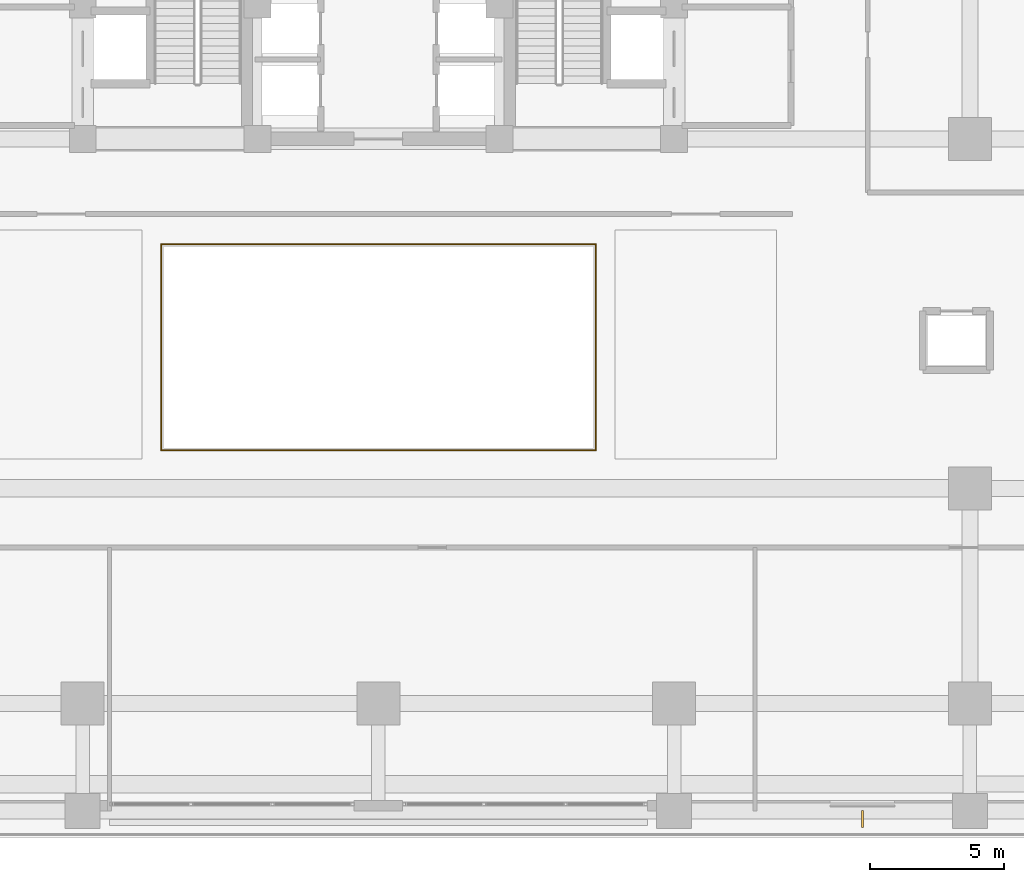
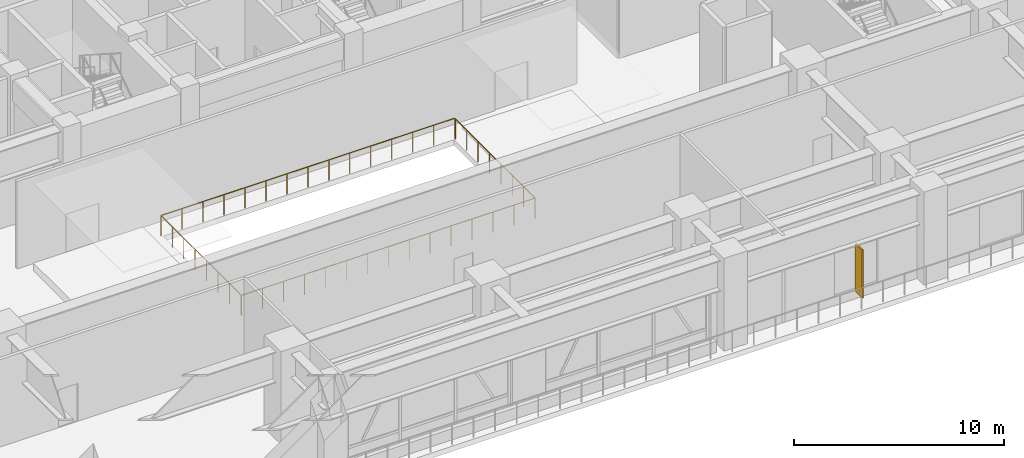
# One storey, part 23 of 28: 2 railings, 1 shading device.
"""IFC4 building model written with IfcOpenShell, lengths in metres."""

from ifc_helpers import new_model, si_unit, direction, frame, origin, origin_2d, place, context, subcontext, project, spatial, rectangle, circle, extrude, source, transform, mapped, material, layer, layer_set, type_object, element, save


model = new_model("IFC4")

# Units and contexts
model_context = context("Model", 3, precision=1e-05, world=origin(), true_north=direction((0.0, 1.0)))
body_context = subcontext(model_context, "Body", "Model", "MODEL_VIEW")
ifc_project = project(units=[si_unit("LENGTHUNIT", "METRE"), si_unit("AREAUNIT", "SQUARE_METRE"), si_unit("VOLUMEUNIT", "CUBIC_METRE"), si_unit("PLANEANGLEUNIT", "RADIAN"), si_unit("MASSUNIT", "GRAM", prefix="KILO")], contexts=[model_context])

# Site, building, storey
site_placement = place(None, origin())
site = spatial("IfcSite", under=ifc_project, at=site_placement, CompositionType="ELEMENT")
building_placement = place(site_placement, origin())
building = spatial("IfcBuilding", under=site, at=building_placement, Name="Khorayat Bourse Tower", CompositionType="ELEMENT")
storey_placement = place(building_placement, frame((0.0, 0.0, 12.0)))
storey = spatial("IfcBuildingStorey", under=building, at=storey_placement, Name="L02", CompositionType="ELEMENT", Elevation=12.0)

# Shading device
ifc_material_1 = material(Name="Anodised champagne aluminium", Category="aluminium")
ifc_layer = layer(ifc_material_1, 0.080078125)
ifc_layer_set = layer_set([ifc_layer], Name="Anodised champagne aluminium")
shading_device_type = type_object("IfcShadingDeviceType", Name="SHD-MASHRABIYA-FIN", PredefinedType="USERDEFINED", material=ifc_layer_set)
shared_shape_1 = source(origin(), body_context, "Body", "SweptSolid", [
    extrude(rectangle(XDim=0.080078125, YDim=0.64990234375, at=origin_2d()), origin(), (0.0, 0.0, 1.0), 2.800048828125),
])
shading_device_placement = place(storey_placement, frame((18.0, -36.300048828125, 0.39990234375), z_axis=(0.0, 0.0, 1.0), x_axis=(1.0, 0.0, 0.0)))
element("IfcShadingDevice", 1, at=shading_device_placement, inside=storey, type_object=shading_device_type, Name="L02 Mashrabiya Vertical Shading Fin 3", ObjectType="FIN", PredefinedType="USERDEFINED", context=body_context, shape_type="MappedRepresentation", body=[
    mapped(shared_shape_1, transform((0.0, 0.0, 0.0), scale=1.0)),
])

# Railings
ifc_material_2 = material(Name="Powder-coated steel balustrade", Category="steel")
railing_type = type_object("IfcRailingType", Name="RLG-GUARD-1200", PredefinedType="GUARDRAIL", material=ifc_material_2)
shared_shape_2 = source(origin(), body_context, "Body", "SweptSolid", [
    extrude(circle(Radius=0.02392578125, at=origin_2d()), frame((0.0, 0.0, 1.17578125), z_axis=(1.0, 0.0, 0.0), x_axis=(0.0, 1.0, 0.0)), (0.0, 0.0, 1.0), 16.16015625),
    extrude(circle(Radius=0.02392578125, at=origin_2d()), frame((16.16015625, 0.0, 1.17578125), z_axis=(0.0, 1.0, 0.0), x_axis=(-1.0, 0.0, 0.0)), (0.0, 0.0, 1.0), 7.60009765625),
    extrude(circle(Radius=0.02099609375, at=origin_2d()), origin(), (0.0, 0.0, 1.0), 1.15185546875),
    extrude(circle(Radius=0.02099609375, at=origin_2d()), frame((1.154296875, 0.0, 0.0)), (0.0, 0.0, 1.0), 1.15185546875),
    extrude(circle(Radius=0.02099609375, at=origin_2d()), frame((2.30859375, 0.0, 0.0)), (0.0, 0.0, 1.0), 1.15185546875),
    extrude(circle(Radius=0.02099609375, at=origin_2d()), frame((3.462890625, 0.0, 0.0)), (0.0, 0.0, 1.0), 1.15185546875),
    extrude(circle(Radius=0.02099609375, at=origin_2d()), frame((4.6171875, 0.0, 0.0)), (0.0, 0.0, 1.0), 1.15185546875),
    extrude(circle(Radius=0.02099609375, at=origin_2d()), frame((5.771484375, 0.0, 0.0)), (0.0, 0.0, 1.0), 1.15185546875),
    extrude(circle(Radius=0.02099609375, at=origin_2d()), frame((6.92578125, 0.0, 0.0)), (0.0, 0.0, 1.0), 1.15185546875),
    extrude(circle(Radius=0.02099609375, at=origin_2d()), frame((8.080078125, 0.0, 0.0)), (0.0, 0.0, 1.0), 1.15185546875),
    extrude(circle(Radius=0.02099609375, at=origin_2d()), frame((9.234375, 0.0, 0.0)), (0.0, 0.0, 1.0), 1.15185546875),
    extrude(circle(Radius=0.02099609375, at=origin_2d()), frame((10.388671875, 0.0, 0.0)), (0.0, 0.0, 1.0), 1.15185546875),
    extrude(circle(Radius=0.02099609375, at=origin_2d()), frame((11.54296875, 0.0, 0.0)), (0.0, 0.0, 1.0), 1.15185546875),
    extrude(circle(Radius=0.02099609375, at=origin_2d()), frame((12.697265625, 0.0, 0.0)), (0.0, 0.0, 1.0), 1.15185546875),
    extrude(circle(Radius=0.02099609375, at=origin_2d()), frame((13.8515625, 0.0, 0.0)), (0.0, 0.0, 1.0), 1.15185546875),
    extrude(circle(Radius=0.02099609375, at=origin_2d()), frame((15.005859375, 0.0, 0.0)), (0.0, 0.0, 1.0), 1.15185546875),
    extrude(circle(Radius=0.02099609375, at=origin_2d()), frame((16.16015625, 0.0, 0.0)), (0.0, 0.0, 1.0), 1.15185546875),
    extrude(circle(Radius=0.02099609375, at=origin_2d()), frame((16.16015625, 1.085693359375, 0.0)), (0.0, 0.0, 1.0), 1.15185546875),
    extrude(circle(Radius=0.02099609375, at=origin_2d()), frame((16.16015625, 2.17138671875, 0.0)), (0.0, 0.0, 1.0), 1.15185546875),
    extrude(circle(Radius=0.02099609375, at=origin_2d()), frame((16.16015625, 3.257080078125, 0.0)), (0.0, 0.0, 1.0), 1.15185546875),
    extrude(circle(Radius=0.02099609375, at=origin_2d()), frame((16.16015625, 4.343017578125, 0.0)), (0.0, 0.0, 1.0), 1.15185546875),
    extrude(circle(Radius=0.02099609375, at=origin_2d()), frame((16.16015625, 5.4287109375, 0.0)), (0.0, 0.0, 1.0), 1.15185546875),
    extrude(circle(Radius=0.02099609375, at=origin_2d()), frame((16.16015625, 6.514404296875, 0.0)), (0.0, 0.0, 1.0), 1.15185546875),
    extrude(circle(Radius=0.02099609375, at=origin_2d()), frame((16.16015625, 7.60009765625, 0.0)), (0.0, 0.0, 1.0), 1.15185546875),
])
railing_1_placement = place(storey_placement, frame((-8.080078125, -22.580078125, 0.0)))
element("IfcRailing", 2, at=railing_1_placement, inside=storey, type_object=railing_type, Name="L02 Exchange Atrium Guardrail SE", PredefinedType="GUARDRAIL", context=body_context, shape_type="MappedRepresentation", body=[
    mapped(shared_shape_2, transform((0.0, 0.0, 0.0), scale=1.0)),
])
shared_shape_3 = source(origin(), body_context, "Body", "SweptSolid", [
    extrude(circle(Radius=0.02392578125, at=origin_2d()), frame((0.0, 0.0, 1.17578125), z_axis=(-1.0, 0.0, 0.0), x_axis=(0.0, -1.0, 0.0)), (0.0, 0.0, 1.0), 16.16015625),
    extrude(circle(Radius=0.02392578125, at=origin_2d()), frame((-16.16015625, 0.0, 1.17578125), z_axis=(0.0, -1.0, 0.0), x_axis=(1.0, 0.0, 0.0)), (0.0, 0.0, 1.0), 7.60009765625),
    extrude(circle(Radius=0.02099609375, at=origin_2d()), origin(), (0.0, 0.0, 1.0), 1.15185546875),
    extrude(circle(Radius=0.02099609375, at=origin_2d()), frame((-1.154296875, 0.0, 0.0)), (0.0, 0.0, 1.0), 1.15185546875),
    extrude(circle(Radius=0.02099609375, at=origin_2d()), frame((-2.30859375, 0.0, 0.0)), (0.0, 0.0, 1.0), 1.15185546875),
    extrude(circle(Radius=0.02099609375, at=origin_2d()), frame((-3.462890625, 0.0, 0.0)), (0.0, 0.0, 1.0), 1.15185546875),
    extrude(circle(Radius=0.02099609375, at=origin_2d()), frame((-4.6171875, 0.0, 0.0)), (0.0, 0.0, 1.0), 1.15185546875),
    extrude(circle(Radius=0.02099609375, at=origin_2d()), frame((-5.771484375, 0.0, 0.0)), (0.0, 0.0, 1.0), 1.15185546875),
    extrude(circle(Radius=0.02099609375, at=origin_2d()), frame((-6.92578125, 0.0, 0.0)), (0.0, 0.0, 1.0), 1.15185546875),
    extrude(circle(Radius=0.02099609375, at=origin_2d()), frame((-8.080078125, 0.0, 0.0)), (0.0, 0.0, 1.0), 1.15185546875),
    extrude(circle(Radius=0.02099609375, at=origin_2d()), frame((-9.234375, 0.0, 0.0)), (0.0, 0.0, 1.0), 1.15185546875),
    extrude(circle(Radius=0.02099609375, at=origin_2d()), frame((-10.388671875, 0.0, 0.0)), (0.0, 0.0, 1.0), 1.15185546875),
    extrude(circle(Radius=0.02099609375, at=origin_2d()), frame((-11.54296875, 0.0, 0.0)), (0.0, 0.0, 1.0), 1.15185546875),
    extrude(circle(Radius=0.02099609375, at=origin_2d()), frame((-12.697265625, 0.0, 0.0)), (0.0, 0.0, 1.0), 1.15185546875),
    extrude(circle(Radius=0.02099609375, at=origin_2d()), frame((-13.8515625, 0.0, 0.0)), (0.0, 0.0, 1.0), 1.15185546875),
    extrude(circle(Radius=0.02099609375, at=origin_2d()), frame((-15.005859375, 0.0, 0.0)), (0.0, 0.0, 1.0), 1.15185546875),
    extrude(circle(Radius=0.02099609375, at=origin_2d()), frame((-16.16015625, 0.0, 0.0)), (0.0, 0.0, 1.0), 1.15185546875),
    extrude(circle(Radius=0.02099609375, at=origin_2d()), frame((-16.16015625, -1.085693359375, 0.0)), (0.0, 0.0, 1.0), 1.15185546875),
    extrude(circle(Radius=0.02099609375, at=origin_2d()), frame((-16.16015625, -2.17138671875, 0.0)), (0.0, 0.0, 1.0), 1.15185546875),
    extrude(circle(Radius=0.02099609375, at=origin_2d()), frame((-16.16015625, -3.257080078125, 0.0)), (0.0, 0.0, 1.0), 1.15185546875),
    extrude(circle(Radius=0.02099609375, at=origin_2d()), frame((-16.16015625, -4.343017578125, 0.0)), (0.0, 0.0, 1.0), 1.15185546875),
    extrude(circle(Radius=0.02099609375, at=origin_2d()), frame((-16.16015625, -5.4287109375, 0.0)), (0.0, 0.0, 1.0), 1.15185546875),
    extrude(circle(Radius=0.02099609375, at=origin_2d()), frame((-16.16015625, -6.514404296875, 0.0)), (0.0, 0.0, 1.0), 1.15185546875),
    extrude(circle(Radius=0.02099609375, at=origin_2d()), frame((-16.16015625, -7.60009765625, 0.0)), (0.0, 0.0, 1.0), 1.15185546875),
])
railing_2_placement = place(storey_placement, frame((8.080078125, -14.919921875, 0.0)))
element("IfcRailing", 3, at=railing_2_placement, inside=storey, type_object=railing_type, Name="L02 Exchange Atrium Guardrail NW", PredefinedType="GUARDRAIL", context=body_context, shape_type="MappedRepresentation", body=[
    mapped(shared_shape_3, transform((0.0, 0.0, 0.0), scale=1.0)),
])

save(model, "model.ifc")
